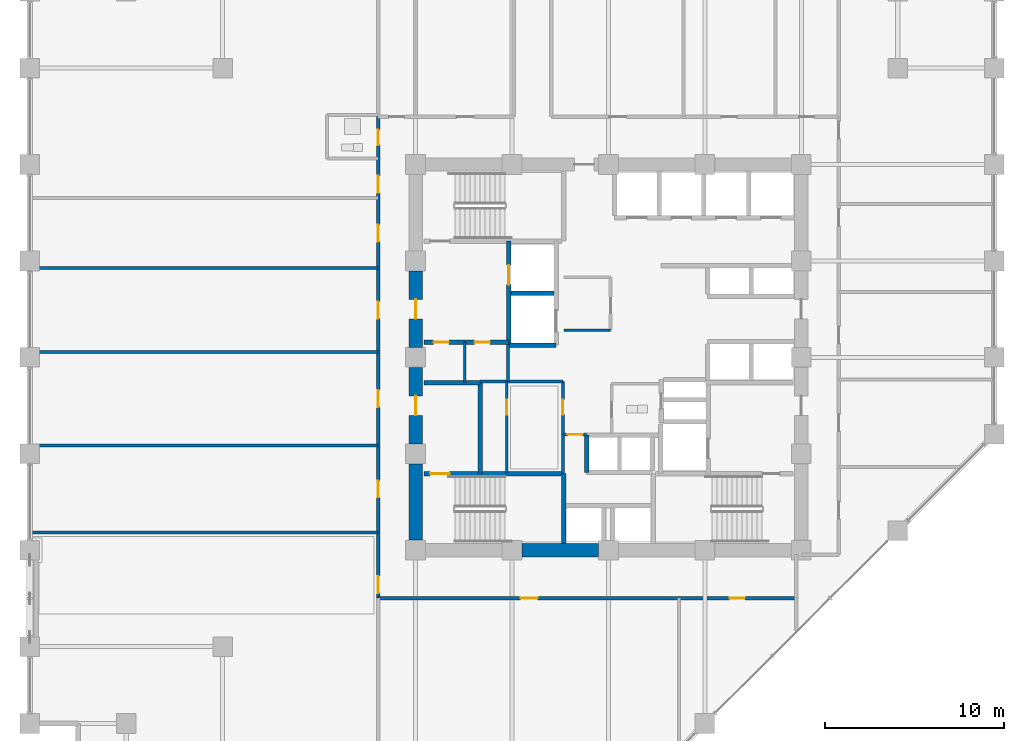
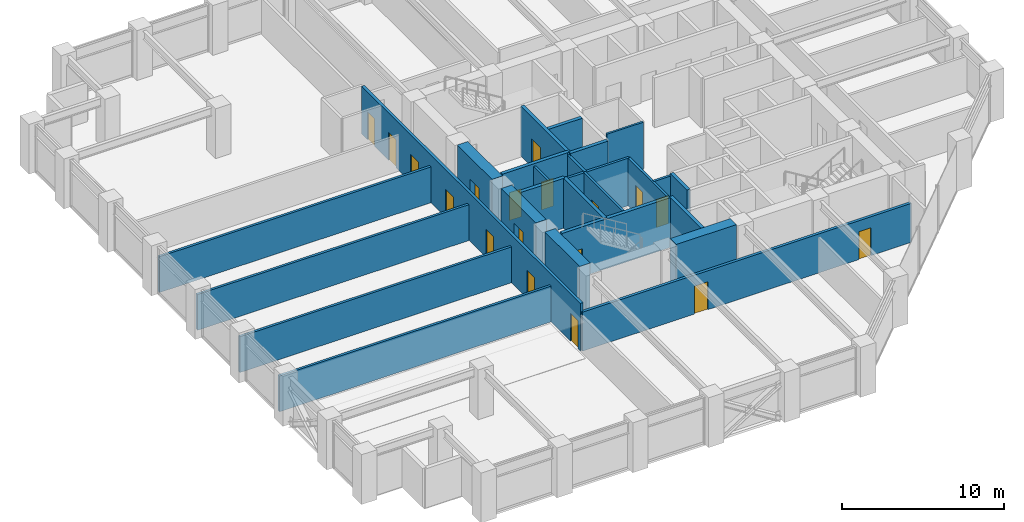
# One storey, part 19 of 25: 26 walls, 18 doors, 18 openings.
"""IFC4 building model written with IfcOpenShell, lengths in metres."""

import ifcopenshell
import ifcopenshell.guid

model = None  # the IFC model being written
_history = None  # IfcOwnerHistory: only IFC2X3 demands one
_inside = {}  # id of a spatial element -> (the spatial element, [elements in it])
_under = {}  # id of a project, library or spatial element -> (it, [spatial elements below it])
_declared = {}  # id of a project -> (the project, [libraries it declares])
_typed = {}  # id of a type object -> (the type object, [elements of that type])
_made_of = {}  # id of a material, layer set ... -> (it, [elements and type objects made of it])


def new_model(schema):
    """Start an empty IFC model of exactly this schema.

    Asked for "IFC4X3", IfcOpenShell would pick the latest addendum, in which some entities
    have other attributes; the version numbers below select the first issue.
    IFC2X3 requires an IfcOwnerHistory on every rooted entity: one is made here for all.
    """
    global model, _history
    if schema == "IFC4X3":
        model = ifcopenshell.file(schema_version=(4, 3, 0, 0))
    else:
        model = ifcopenshell.file(schema=schema)
    _inside.clear()
    _under.clear()
    _declared.clear()
    _typed.clear()
    _made_of.clear()
    _history = None
    if model.schema == "IFC2X3":
        org = make("IfcOrganization", Name="unknown")
        user = make(
            "IfcPersonAndOrganization",
            ThePerson=make("IfcPerson", FamilyName="unknown"),
            TheOrganization=org,
        )
        app = make(
            "IfcApplication",
            ApplicationDeveloper=org,
            Version="unknown",
            ApplicationFullName="unknown",
            ApplicationIdentifier="unknown",
        )
        _history = make(
            "IfcOwnerHistory",
            OwningUser=user,
            OwningApplication=app,
            ChangeAction="ADDED",
            CreationDate=0,
        )
    return model


def make(cls, **values):
    """One entity of the class cls with the attributes given. An attribute that is None is left unset."""
    return model.create_entity(
        cls, **{name: value for name, value in values.items() if value is not None}
    )


def rooted(cls, **values):
    """An entity with a GlobalId (a new one), such as an element, a storey or a relation."""
    return make(cls, GlobalId=ifcopenshell.guid.new(), OwnerHistory=_history, **values)


def si_unit(unit_type, name, prefix=None):
    """IfcSIUnit, for example si_unit("LENGTHUNIT", "METRE", prefix="MILLI")."""
    return make("IfcSIUnit", UnitType=unit_type, Prefix=prefix, Name=name)


def assignment(units):
    """IfcUnitAssignment: the units of a project."""
    return None if units is None else make("IfcUnitAssignment", Units=units)


def point(xyz):
    """IfcCartesianPoint."""
    return None if xyz is None else make("IfcCartesianPoint", Coordinates=xyz)


def direction(xyz):
    """IfcDirection."""
    return None if xyz is None else make("IfcDirection", DirectionRatios=xyz)


def frame(location, z_axis=None, x_axis=None):
    """IfcAxis2Placement3D, a coordinate frame: its origin and axes. An axis left out is left unset."""
    return make(
        "IfcAxis2Placement3D",
        Location=point(location),
        Axis=direction(z_axis),
        RefDirection=direction(x_axis),
    )


def frame_2d(location, x_axis=None):
    """IfcAxis2Placement2D, a coordinate frame in the plane: its origin and x axis."""
    return make(
        "IfcAxis2Placement2D", Location=point(location), RefDirection=direction(x_axis)
    )


def origin():
    """The frame at (0, 0, 0) with its axes left unset."""
    return frame((0.0, 0.0, 0.0))


def place(relative_to, where):
    """IfcLocalPlacement: puts the frame where relative to a parent placement (None: the world)."""
    return make(
        "IfcLocalPlacement", PlacementRelTo=relative_to, RelativePlacement=where
    )


def context(
    kind, dimensions, precision=None, world=None, true_north=None, identifier=None
):
    """IfcGeometricRepresentationContext, for example the 3D "Model" context."""
    return make(
        "IfcGeometricRepresentationContext",
        ContextIdentifier=identifier,
        ContextType=kind,
        CoordinateSpaceDimension=dimensions,
        Precision=precision,
        WorldCoordinateSystem=world,
        TrueNorth=true_north,
    )


def subcontext(parent, identifier, kind, view, scale=None):
    """IfcGeometricRepresentationSubContext, for example "Body" below "Model"."""
    return make(
        "IfcGeometricRepresentationSubContext",
        ContextIdentifier=identifier,
        ContextType=kind,
        ParentContext=parent,
        TargetScale=scale,
        TargetView=view,
    )


def project(units=None, contexts=None):
    """IfcProject with its units and contexts."""
    return rooted(
        "IfcProject",
        Name="project",
        RepresentationContexts=contexts,
        UnitsInContext=assignment(units),
    )


def spatial(cls, under=None, at=None, **own):
    """A site, building, storey or space (cls), placed at a placement, below another one or the project."""
    s = rooted(cls, ObjectPlacement=at, **own)
    if under is not None:
        _under.setdefault(under.id(), (under, []))[1].append(s)
    return s


def profile(cls, at=None, kind="AREA", **sizes):
    """A parametric profile (cls). Its sizes go by their IFC names, for example OverallWidth=200.0."""
    return make(cls, ProfileType=kind, Position=at, **sizes)


def rectangle(**sizes):
    """IfcRectangleProfileDef."""
    return profile("IfcRectangleProfileDef", **sizes)


def extrude(swept, where, along, depth):
    """IfcExtrudedAreaSolid: the profile swept, set in the frame where, extruded along a direction by depth."""
    return make(
        "IfcExtrudedAreaSolid",
        SweptArea=swept,
        Position=where,
        ExtrudedDirection=direction(along),
        Depth=depth,
    )


def shape(context_of_items, identifier, shape_type, items):
    """IfcShapeRepresentation: the items that make up one representation, for example the "Body"."""
    return make(
        "IfcShapeRepresentation",
        ContextOfItems=context_of_items,
        RepresentationIdentifier=identifier,
        RepresentationType=shape_type,
        Items=items,
    )


def material(Name=None, Category=None):
    """IfcMaterial."""
    return make("IfcMaterial", Name=Name, Category=Category)


def layer(
    of_material, thickness, ventilated=None, Name=None, Category=None, Priority=None
):
    """IfcMaterialLayer: one layer of a wall or slab, of a material (None: an air gap)."""
    return make(
        "IfcMaterialLayer",
        Material=of_material,
        LayerThickness=thickness,
        IsVentilated=ventilated,
        Name=Name,
        Category=Category,
        Priority=Priority,
    )


def layer_set(layers, Name=None):
    """IfcMaterialLayerSet."""
    return make("IfcMaterialLayerSet", MaterialLayers=layers, LayerSetName=Name)


def made_of(thing, what):
    """Note that an element or type object is made of a material, layer set ...; save() writes the relation."""
    if what is not None:
        _made_of.setdefault(what.id(), (what, []))[1].append(thing)
    return thing


def type_object(cls, material=None, **own):
    """A type object (cls), such as IfcWallType, which elements share."""
    return made_of(rooted(cls, **own), material)


def element(
    cls,
    number,
    at=None,
    inside=None,
    cuts=None,
    type_object=None,
    material=None,
    context=None,
    identifier="Body",
    shape_type=None,
    held_by="IfcProductDefinitionShape",
    body=None,
    shapes=None,
    **own,
):
    """One element of the class cls, such as IfcWall. Its Tag is "e" and its number.

    at: its placement. inside: the storey or other place that contains it. cuts: it is an
    opening in that element (IfcRelVoidsElement). A single representation is given by context,
    identifier, shape_type and body (its items); several are given by shapes. held_by: the class
    of the entity that holds the representations. save() writes the other relations.
    """
    e = rooted(cls, Tag="e%d" % number, ObjectPlacement=at, **own)
    if body is not None:
        shapes = [shape(context, identifier, shape_type, body)]
    if shapes is not None:
        e.Representation = make(held_by, Representations=shapes)
    if inside is not None:
        _inside.setdefault(inside.id(), (inside, []))[1].append(e)
    if cuts is not None:
        rooted(
            "IfcRelVoidsElement", RelatingBuildingElement=cuts, RelatedOpeningElement=e
        )
    if type_object is not None:
        _typed.setdefault(type_object.id(), (type_object, []))[1].append(e)
    return made_of(e, material)


def fill(opening, filler):
    """IfcRelFillsElement: the door or window that sits in an opening."""
    return rooted(
        "IfcRelFillsElement",
        RelatingOpeningElement=opening,
        RelatedBuildingElement=filler,
    )


def aggregate(whole, parts):
    """IfcRelAggregates: a whole, such as a stair, and the parts it consists of."""
    return rooted("IfcRelAggregates", RelatingObject=whole, RelatedObjects=parts)


def save(model, path):
    """Write the relations noted so far, then the file.

    IfcRelAggregates (storeys below a building ...), IfcRelContainedInSpatialStructure (elements
    in a storey), IfcRelDefinesByType, IfcRelAssociatesMaterial and IfcRelDeclares: one each for
    every whole, place, type object, material and project.
    """
    for whole, parts in _under.values():
        aggregate(whole, parts)
    for where, things in _inside.values():
        rooted(
            "IfcRelContainedInSpatialStructure",
            RelatedElements=things,
            RelatingStructure=where,
        )
    for kind, things in _typed.values():
        rooted("IfcRelDefinesByType", RelatedObjects=things, RelatingType=kind)
    for what, things in _made_of.values():
        rooted("IfcRelAssociatesMaterial", RelatedObjects=things, RelatingMaterial=what)
    for by, libraries in _declared.values():
        rooted("IfcRelDeclares", RelatingContext=by, RelatedDefinitions=libraries)
    model.write(path)


model = new_model("IFC4")

# Units and contexts
model_context = context("Model", 3, precision=1e-05, world=origin(), true_north=direction((0.0, 1.0)))
body_context = subcontext(model_context, "Body", "Model", "MODEL_VIEW")
ifc_project = project(units=[si_unit("LENGTHUNIT", "METRE"), si_unit("AREAUNIT", "SQUARE_METRE"), si_unit("VOLUMEUNIT", "CUBIC_METRE"), si_unit("PLANEANGLEUNIT", "RADIAN"), si_unit("MASSUNIT", "GRAM", prefix="KILO")], contexts=[model_context])

# Site, building, storey
site_placement = place(None, origin())
site = spatial("IfcSite", under=ifc_project, at=site_placement, CompositionType="ELEMENT")
building_placement = place(site_placement, origin())
building = spatial("IfcBuilding", under=site, at=building_placement, Name="Surkhivell Harbour Commons", CompositionType="ELEMENT")
storey_placement = place(building_placement, frame((0.0, 0.0, 113.25)))
storey = spatial("IfcBuildingStorey", under=building, at=storey_placement, Name="L29", CompositionType="ELEMENT", Elevation=113.25)

# Walls
ifc_material_1 = material(Name="Concrete C60/75", Category="concrete")
ifc_layer_1 = layer(ifc_material_1, 0.75)
ifc_layer_set_1 = layer_set([ifc_layer_1], Name="Concrete C60/75")
wall_type_1 = type_object("IfcWallType", Name="WAL-CORE-750", PredefinedType="SHEAR", material=ifc_layer_set_1)
for number, where, z_axis, x_axis, name in (
    (1, (-10.800048828125, -10.239990234375, 0.0), (0.0, 0.0, 1.0), (0.0, 1.0, 0.0), "L29 Core Shear Wall West 1"),
    (2, (-4.840087890625, -10.800048828125, 0.0), (0.0, 0.0, 1.0), (1.0, 0.0, 0.0), "L29 Core Shear Wall South 2"),
):
    element("IfcWall", number, at=place(storey_placement, frame(where, z_axis=z_axis, x_axis=x_axis)), inside=storey, type_object=wall_type_1, Name=name, PredefinedType="SHEAR", context=body_context, shape_type="SweptSolid", body=[
        extrude(rectangle(XDim=4.280029296875, YDim=0.75, at=frame_2d((2.14013671875, 0.0))), origin(), (0.0, 0.0, 1.0), 3.75),
    ])

# Wall, opening, door
wall_1_placement = place(storey_placement, frame((-10.800048828125, -4.840087890625, 0.0), z_axis=(0.0, 0.0, 1.0), x_axis=(0.0, 1.0, 0.0)))
wall_1 = element("IfcWall", 3, at=wall_1_placement, inside=storey, type_object=wall_type_1, Name="L29 Core Shear Wall West 2", PredefinedType="SHEAR", context=body_context, shape_type="SweptSolid", body=[
    extrude(rectangle(XDim=4.280029296875, YDim=0.75, at=frame_2d((2.14013671875, 0.0))), origin(), (0.0, 0.0, 1.0), 3.75),
])
opening_1_placement = place(wall_1_placement, frame((1.590087890625, 0.0, 0.0)))
opening_1 = element("IfcOpeningElement", 4, at=opening_1_placement, cuts=wall_1, Name="Opening ID-2", PredefinedType="OPENING", context=body_context, shape_type="SweptSolid", body=[
    extrude(rectangle(XDim=1.10009765625, YDim=2.10009765625, at=frame_2d((0.550048828125, 1.050048828125))), frame((0.0, 0.385009765625, 0.0), z_axis=(0.0, -1.0, 0.0), x_axis=(1.0, 0.0, 0.0)), (0.0, 0.0, 1.0), 0.77001953125),
])
ifc_material_2 = material(Name="Hardwood-veneered fire-rated door leaf", Category="wood")
door_type_1 = type_object("IfcDoorType", Name="DOR-FD60-1100", OperationType="NOTDEFINED", PredefinedType="DOOR", material=ifc_material_2)
door_1_placement = place(opening_1_placement, origin())
door_1 = element("IfcDoor", 5, at=door_1_placement, inside=storey, type_object=door_type_1, Name="L29 Stair 3 Lobby Corridor Door", OperationType="SINGLE_SWING_LEFT", OverallHeight=2.10009765625, OverallWidth=1.10009765625, PredefinedType="DOOR", context=body_context, shape_type="SweptSolid", body=[
    extrude(rectangle(XDim=1.10009765625, YDim=2.10009765625, at=frame_2d((0.550048828125, 1.050048828125))), frame((0.0, 0.02490234375, 0.0), z_axis=(0.0, -1.0, 0.0), x_axis=(1.0, 0.0, 0.0)), (0.0, 0.0, 1.0), 0.050048828125),
])
fill(opening_1, door_1)

wall_2_placement = place(storey_placement, frame((-10.800048828125, 0.56005859375, 0.0), z_axis=(0.0, 0.0, 1.0), x_axis=(0.0, 1.0, 0.0)))
wall_2 = element("IfcWall", 6, at=wall_2_placement, inside=storey, type_object=wall_type_1, Name="L29 Core Shear Wall West 3", PredefinedType="SHEAR", context=body_context, shape_type="SweptSolid", body=[
    extrude(rectangle(XDim=4.280029296875, YDim=0.75, at=frame_2d((2.14013671875, 0.0))), origin(), (0.0, 0.0, 1.0), 3.75),
])
opening_2_placement = place(wall_2_placement, frame((1.590087890625, 0.0, 0.0)))
opening_2 = element("IfcOpeningElement", 7, at=opening_2_placement, cuts=wall_2, Name="Opening ID-1", PredefinedType="OPENING", context=body_context, shape_type="SweptSolid", body=[
    extrude(rectangle(XDim=1.10009765625, YDim=2.10009765625, at=frame_2d((0.550048828125, 1.050048828125))), frame((0.0, 0.385009765625, 0.0), z_axis=(0.0, -1.0, 0.0), x_axis=(1.0, 0.0, 0.0)), (0.0, 0.0, 1.0), 0.77001953125),
])
door_type_2 = type_object("IfcDoorType", Name="DOR-FD120-1100", OperationType="NOTDEFINED", PredefinedType="DOOR", material=ifc_material_2)
door_2_placement = place(opening_2_placement, origin())
door_2 = element("IfcDoor", 8, at=door_2_placement, inside=storey, type_object=door_type_2, Name="L29 Firefighting Lobby 1 Corridor Door", OperationType="SINGLE_SWING_LEFT", OverallHeight=2.10009765625, OverallWidth=1.10009765625, PredefinedType="DOOR", context=body_context, shape_type="SweptSolid", body=[
    extrude(rectangle(XDim=1.10009765625, YDim=2.10009765625, at=frame_2d((0.550048828125, 1.050048828125))), frame((0.0, 0.02490234375, 0.0), z_axis=(0.0, -1.0, 0.0), x_axis=(1.0, 0.0, 0.0)), (0.0, 0.0, 1.0), 0.050048828125),
])
fill(opening_2, door_2)

ifc_material_3 = material(Name="Twin-stud acoustic fireboard partition", Category="other")
ifc_layer_2 = layer(ifc_material_3, 0.14990234375)
ifc_layer_set_2 = layer_set([ifc_layer_2], Name="Twin-stud acoustic fireboard partition")
wall_type_2 = type_object("IfcWallType", Name="WAL-INT-150", PredefinedType="PARTITIONING", material=ifc_layer_set_2)
wall_3_placement = place(storey_placement, frame((-5.699951171875, -6.510009765625, 0.0), z_axis=(0.0, 0.0, 1.0), x_axis=(0.0, 1.0, 0.0)))
wall_3 = element("IfcWall", 9, at=wall_3_placement, inside=storey, type_object=wall_type_2, Name="L29 Core Cut B Partition", PredefinedType="PARTITIONING", context=body_context, shape_type="SweptSolid", body=[
    extrude(rectangle(XDim=5.159912109375, YDim=0.14990234375, at=frame_2d((2.580078125, 0.0))), origin(), (0.0, 0.0, 1.0), 3.570068359375),
])
opening_3_placement = place(wall_3_placement, frame((3.300048828125, 0.0, 0.0)))
opening_3 = element("IfcOpeningElement", 10, at=opening_3_placement, cuts=wall_3, Name="Opening ID-6", PredefinedType="OPENING", context=body_context, shape_type="SweptSolid", body=[
    extrude(rectangle(XDim=0.85009765625, YDim=2.10009765625, at=frame_2d((0.425048828125, 1.050048828125))), frame((0.0, 0.0849609375, 0.0), z_axis=(0.0, -1.0, 0.0), x_axis=(1.0, 0.0, 0.0)), (0.0, 0.0, 1.0), 0.169921875),
])
door_type_3 = type_object("IfcDoorType", Name="DOR-FD30-850", OperationType="NOTDEFINED", PredefinedType="DOOR", material=ifc_material_2)
door_3_placement = place(opening_3_placement, origin())
door_3 = element("IfcDoor", 11, at=door_3_placement, inside=storey, type_object=door_type_3, Name="L29 Core Focus Study Door", OperationType="SINGLE_SWING_RIGHT", OverallHeight=2.10009765625, OverallWidth=0.85009765625, PredefinedType="DOOR", context=body_context, shape_type="SweptSolid", body=[
    extrude(rectangle(XDim=0.85009765625, YDim=2.10009765625, at=frame_2d((0.425048828125, 1.050048828125))), frame((0.0, 0.02490234375, 0.0), z_axis=(0.0, -1.0, 0.0), x_axis=(1.0, 0.0, 0.0)), (0.0, 0.0, 1.0), 0.050048828125),
])
fill(opening_3, door_3)

# Walls
wall_4_placement = place(storey_placement, frame((-8.050048828125, -1.419921875, 0.0), z_axis=(0.0, 0.0, 1.0), x_axis=(0.0, 1.0, 0.0)))
element("IfcWall", 12, at=wall_4_placement, inside=storey, type_object=wall_type_2, Name="L29 West Seminar Booth Divider", PredefinedType="PARTITIONING", context=body_context, shape_type="SweptSolid", body=[
    extrude(rectangle(XDim=2.27001953125, YDim=0.14990234375, at=frame_2d((1.135009765625, 0.0))), origin(), (0.0, 0.0, 1.0), 3.570068359375),
])
wall_5_placement = place(storey_placement, frame((-2.47998046875, 1.52001953125, 0.0), z_axis=(0.0, 0.0, 1.0), x_axis=(1.0, 0.0, 0.0)))
element("IfcWall", 13, at=wall_5_placement, inside=storey, type_object=wall_type_2, Name="L29 Central Reading South Wall", PredefinedType="PARTITIONING", context=body_context, shape_type="SweptSolid", body=[
    extrude(rectangle(XDim=2.60009765625, YDim=0.14990234375, at=frame_2d((1.300048828125, 0.0))), origin(), (0.0, 0.0, 1.0), 3.570068359375),
])

# Wall, opening, door
ifc_material_4 = material(Name="High-density acoustic blockwork fire partition", Category="masonry")
ifc_layer_3 = layer(ifc_material_4, 0.175048828125)
ifc_layer_set_3 = layer_set([ifc_layer_3], Name="High-density acoustic blockwork fire partition")
wall_type_3 = type_object("IfcWallType", Name="WAL-INT-175", PredefinedType="PARTITIONING", material=ifc_layer_set_3)
wall_6_placement = place(storey_placement, frame((-2.550048828125, -6.510009765625, 0.0), z_axis=(0.0, 0.0, 1.0), x_axis=(0.0, 1.0, 0.0)))
wall_6 = element("IfcWall", 14, at=wall_6_placement, inside=storey, type_object=wall_type_3, Name="L29 Core Service Bay East Wall", PredefinedType="PARTITIONING", context=body_context, shape_type="SweptSolid", body=[
    extrude(rectangle(XDim=5.159912109375, YDim=0.175048828125, at=frame_2d((2.580078125, 0.0))), origin(), (0.0, 0.0, 1.0), 3.570068359375),
])
opening_4_placement = place(wall_6_placement, frame((3.300048828125, 0.0, 0.0)))
opening_4 = element("IfcOpeningElement", 15, at=opening_4_placement, cuts=wall_6, Name="Opening ID-6", PredefinedType="OPENING", context=body_context, shape_type="SweptSolid", body=[
    extrude(rectangle(XDim=0.85009765625, YDim=2.10009765625, at=frame_2d((0.425048828125, 1.050048828125))), frame((0.0, 0.097412109375, 0.0), z_axis=(0.0, -1.0, 0.0), x_axis=(1.0, 0.0, 0.0)), (0.0, 0.0, 1.0), 0.195068359375),
])
door_4_placement = place(opening_4_placement, origin())
door_4 = element("IfcDoor", 16, at=door_4_placement, inside=storey, type_object=door_type_3, Name="L29 Core Music Door", OperationType="SINGLE_SWING_LEFT", OverallHeight=2.10009765625, OverallWidth=0.85009765625, PredefinedType="DOOR", context=body_context, shape_type="SweptSolid", body=[
    extrude(rectangle(XDim=0.85009765625, YDim=2.10009765625, at=frame_2d((0.425048828125, 1.050048828125))), frame((0.0, 0.02490234375, 0.0), z_axis=(0.0, -1.0, 0.0), x_axis=(1.0, 0.0, 0.0)), (0.0, 0.0, 1.0), 0.050048828125),
])
fill(opening_4, door_4)

# Walls
wall_7_placement = place(storey_placement, frame((-7.179931640625, -1.35009765625, 0.0), z_axis=(0.0, 0.0, 1.0), x_axis=(1.0, 0.0, 0.0)))
element("IfcWall", 17, at=wall_7_placement, inside=storey, type_object=wall_type_3, Name="L29 Core Service Bay North Wall", PredefinedType="PARTITIONING", context=body_context, shape_type="SweptSolid", body=[
    extrude(rectangle(XDim=4.6298828125, YDim=0.175048828125, at=frame_2d((2.31494140625, 0.0))), origin(), (0.0, 0.0, 1.0), 3.570068359375),
])
wall_8_placement = place(storey_placement, frame((-5.6201171875, -1.35009765625, 0.0), z_axis=(0.0, 0.0, 1.0), x_axis=(0.0, 1.0, 0.0)))
element("IfcWall", 18, at=wall_8_placement, inside=storey, type_object=wall_type_3, Name="L29 West Core Bay East Wall", PredefinedType="PARTITIONING", context=body_context, shape_type="SweptSolid", body=[
    extrude(rectangle(XDim=2.070068359375, YDim=0.175048828125, at=frame_2d((1.03515625, 0.0))), origin(), (0.0, 0.0, 1.0), 3.570068359375),
])

# Wall, opening, door
wall_9_placement = place(storey_placement, frame((-2.52001953125, -4.320068359375, 0.0), z_axis=(0.0, 0.0, 1.0), x_axis=(1.0, 0.0, 0.0)))
wall_9 = element("IfcWall", 19, at=wall_9_placement, inside=storey, type_object=wall_type_3, Name="L29 High-Rise Lobby North Portal Wall", PredefinedType="PARTITIONING", context=body_context, shape_type="SweptSolid", body=[
    extrude(rectangle(XDim=1.300048828125, YDim=0.175048828125, at=frame_2d((0.64990234375, 0.0))), origin(), (0.0, 0.0, 1.0), 3.570068359375),
])
opening_5_placement = place(wall_9_placement, frame((0.219970703125, 0.0, 0.0)))
opening_5 = element("IfcOpeningElement", 20, at=opening_5_placement, cuts=wall_9, Name="Opening ID-6", PredefinedType="OPENING", context=body_context, shape_type="SweptSolid", body=[
    extrude(rectangle(XDim=0.85009765625, YDim=2.10009765625, at=frame_2d((0.425048828125, 1.050048828125))), frame((0.0, 0.097412109375, 0.0), z_axis=(0.0, -1.0, 0.0), x_axis=(1.0, 0.0, 0.0)), (0.0, 0.0, 1.0), 0.195068359375),
])
door_5_placement = place(opening_5_placement, origin())
door_5 = element("IfcDoor", 21, at=door_5_placement, inside=storey, type_object=door_type_3, Name="L29 High-Rise Lift Lobby North Door", OperationType="SINGLE_SWING_LEFT", OverallHeight=2.10009765625, OverallWidth=0.85009765625, PredefinedType="DOOR", context=body_context, shape_type="SweptSolid", body=[
    extrude(rectangle(XDim=0.85009765625, YDim=2.10009765625, at=frame_2d((0.425048828125, 1.050048828125))), frame((0.0, 0.02490234375, 0.0), z_axis=(0.0, -1.0, 0.0), x_axis=(1.0, 0.0, 0.0)), (0.0, 0.0, 1.0), 0.050048828125),
])
fill(opening_5, door_5)

# Walls
for number, where, z_axis, x_axis, name in (
    (22, (-32.340087890625, -4.929931640625, 0.0), (0.0, 0.0, 1.0), (1.0, 0.0, 0.0), "L29 West Partition BDP1"),
    (23, (-32.340087890625, 0.31005859375, 0.0), (0.0, 0.0, 1.0), (1.0, 0.0, 0.0), "L29 West Partition BDP2"),
    (24, (-32.340087890625, 5.0, 0.0), (0.0, 0.0, 1.0), (1.0, 0.0, 0.0), "L29 West Partition BDP3"),
    (25, (-32.340087890625, -9.800048828125, 0.0), (0.0, 0.0, 1.0), (1.0, 0.0, 0.0), "L29 West Partition PBOT"),
):
    element("IfcWall", number, at=place(storey_placement, frame(where, z_axis=z_axis, x_axis=x_axis)), inside=storey, type_object=wall_type_3, Name=name, PredefinedType="PARTITIONING", context=body_context, shape_type="SweptSolid", body=[
        extrude(rectangle(XDim=19.440185546875, YDim=0.175048828125, at=frame_2d((9.72021484375, 0.0))), origin(), (0.0, 0.0, 1.0), 2.698974609375),
    ])

# Wall, openings, doors
ifc_material_5 = material(Name="Autoclaved aerated concrete blockwork and fire plaster", Category="masonry")
ifc_layer_4 = layer(ifc_material_5, 0.199951171875)
ifc_layer_set_4 = layer_set([ifc_layer_4], Name="Autoclaved aerated concrete blockwork and fire plaster")
wall_type_4 = type_object("IfcWallType", Name="WAL-INT-200", PredefinedType="PARTITIONING", material=ifc_layer_set_4)
wall_10_placement = place(storey_placement, frame((-12.89990234375, -13.47998046875, 0.0), z_axis=(0.0, 0.0, 1.0), x_axis=(1.0, 0.0, 0.0)))
wall_10 = element("IfcWall", 26, at=wall_10_placement, inside=storey, type_object=wall_type_4, Name="L29 Corridor South Wall", PredefinedType="PARTITIONING", context=body_context, shape_type="SweptSolid", body=[
    extrude(rectangle(XDim=23.419921875, YDim=0.199951171875, at=frame_2d((11.7099609375, 0.0))), origin(), (0.0, 0.0, 1.0), 2.93310546875),
])
opening_6_placement = place(wall_10_placement, frame((7.97998046875, 0.0, 0.0)))
opening_6 = element("IfcOpeningElement", 27, at=opening_6_placement, cuts=wall_10, Name="Opening ID-4", PredefinedType="OPENING", context=body_context, shape_type="SweptSolid", body=[
    extrude(rectangle(XDim=0.949951171875, YDim=2.10009765625, at=frame_2d((0.47509765625, 1.050048828125))), frame((0.0, 0.10986328125, 0.0), z_axis=(0.0, -1.0, 0.0), x_axis=(1.0, 0.0, 0.0)), (0.0, 0.0, 1.0), 0.219970703125),
])
opening_7_placement = place(wall_10_placement, frame((19.68994140625, 0.0, 0.0)))
opening_7 = element("IfcOpeningElement", 28, at=opening_7_placement, cuts=wall_10, Name="Opening ID-6", PredefinedType="OPENING", context=body_context, shape_type="SweptSolid", body=[
    extrude(rectangle(XDim=0.85009765625, YDim=2.10009765625, at=frame_2d((0.425048828125, 1.050048828125))), frame((0.0, 0.10986328125, 0.0), z_axis=(0.0, -1.0, 0.0), x_axis=(1.0, 0.0, 0.0)), (0.0, 0.0, 1.0), 0.219970703125),
])
door_6_placement = place(opening_7_placement, origin())
door_6 = element("IfcDoor", 29, at=door_6_placement, inside=storey, type_object=door_type_3, Name="L29 Resident Advisory Reception Desk South Door", OperationType="SINGLE_SWING_LEFT", OverallHeight=2.10009765625, OverallWidth=0.85009765625, PredefinedType="DOOR", context=body_context, shape_type="SweptSolid", body=[
    extrude(rectangle(XDim=0.85009765625, YDim=2.10009765625, at=frame_2d((0.425048828125, 1.050048828125))), frame((0.0, 0.02490234375, 0.0), z_axis=(0.0, -1.0, 0.0), x_axis=(1.0, 0.0, 0.0)), (0.0, 0.0, 1.0), 0.050048828125),
])
fill(opening_7, door_6)
door_type_4 = type_object("IfcDoorType", Name="DOR-FD60-950", OperationType="NOTDEFINED", PredefinedType="DOOR", material=ifc_material_2)
door_7_placement = place(opening_6_placement, origin())
door_7 = element("IfcDoor", 30, at=door_7_placement, inside=storey, type_object=door_type_4, Name="L29 Zone Concierge Reception Foyer South Door", OperationType="SINGLE_SWING_RIGHT", OverallHeight=2.10009765625, OverallWidth=0.949951171875, PredefinedType="DOOR", context=body_context, shape_type="SweptSolid", body=[
    extrude(rectangle(XDim=0.949951171875, YDim=2.10009765625, at=frame_2d((0.47509765625, 1.050048828125))), frame((0.0, 0.02490234375, 0.0), z_axis=(0.0, -1.0, 0.0), x_axis=(1.0, 0.0, 0.0)), (0.0, 0.0, 1.0), 0.050048828125),
])
fill(opening_6, door_7)

wall_11_placement = place(storey_placement, frame((-12.89990234375, -13.47998046875, 0.0), z_axis=(0.0, 0.0, 1.0), x_axis=(0.0, 1.0, 0.0)))
wall_11 = element("IfcWall", 31, at=wall_11_placement, inside=storey, type_object=wall_type_4, Name="L29 Corridor West Wall", PredefinedType="PARTITIONING", context=body_context, shape_type="SweptSolid", body=[
    extrude(rectangle(XDim=26.9599609375, YDim=0.199951171875, at=frame_2d((13.47998046875, 0.0))), origin(), (0.0, 0.0, 1.0), 3.570068359375),
])
opening_8_placement = place(wall_11_placement, frame((0.280029296875, 0.0, 0.0)))
opening_8 = element("IfcOpeningElement", 32, at=opening_8_placement, cuts=wall_11, Name="Opening ID-4", PredefinedType="OPENING", context=body_context, shape_type="SweptSolid", body=[
    extrude(rectangle(XDim=0.949951171875, YDim=2.10009765625, at=frame_2d((0.47509765625, 1.050048828125))), frame((0.0, 0.10986328125, 0.0), z_axis=(0.0, -1.0, 0.0), x_axis=(1.0, 0.0, 0.0)), (0.0, 0.0, 1.0), 0.219970703125),
])
opening_9_placement = place(wall_11_placement, frame((25.364990234375, 0.0, 0.0)))
opening_9 = element("IfcOpeningElement", 33, at=opening_9_placement, cuts=wall_11, Name="Opening ID-6", PredefinedType="OPENING", context=body_context, shape_type="SweptSolid", body=[
    extrude(rectangle(XDim=0.85009765625, YDim=2.10009765625, at=frame_2d((0.425048828125, 1.050048828125))), frame((0.0, 0.10986328125, 0.0), z_axis=(0.0, -1.0, 0.0), x_axis=(1.0, 0.0, 0.0)), (0.0, 0.0, 1.0), 0.219970703125),
])
opening_10_placement = place(wall_11_placement, frame((22.68994140625, 0.0, 0.0)))
opening_10 = element("IfcOpeningElement", 34, at=opening_10_placement, cuts=wall_11, Name="Opening ID-4", PredefinedType="OPENING", context=body_context, shape_type="SweptSolid", body=[
    extrude(rectangle(XDim=0.949951171875, YDim=2.10009765625, at=frame_2d((0.47509765625, 1.050048828125))), frame((0.0, 0.10986328125, 0.0), z_axis=(0.0, -1.0, 0.0), x_axis=(1.0, 0.0, 0.0)), (0.0, 0.0, 1.0), 0.219970703125),
])
opening_11_placement = place(wall_11_placement, frame((5.635009765625, 0.0, 0.0)))
opening_11 = element("IfcOpeningElement", 35, at=opening_11_placement, cuts=wall_11, Name="Opening ID-4", PredefinedType="OPENING", context=body_context, shape_type="SweptSolid", body=[
    extrude(rectangle(XDim=0.949951171875, YDim=2.10009765625, at=frame_2d((0.47509765625, 1.050048828125))), frame((0.0, 0.10986328125, 0.0), z_axis=(0.0, -1.0, 0.0), x_axis=(1.0, 0.0, 0.0)), (0.0, 0.0, 1.0), 0.219970703125),
])
opening_12_placement = place(wall_11_placement, frame((10.68994140625, 0.0, 0.0)))
opening_12 = element("IfcOpeningElement", 36, at=opening_12_placement, cuts=wall_11, Name="Opening ID-4", PredefinedType="OPENING", context=body_context, shape_type="SweptSolid", body=[
    extrude(rectangle(XDim=0.949951171875, YDim=2.10009765625, at=frame_2d((0.47509765625, 1.050048828125))), frame((0.0, 0.10986328125, 0.0), z_axis=(0.0, -1.0, 0.0), x_axis=(1.0, 0.0, 0.0)), (0.0, 0.0, 1.0), 0.219970703125),
])
opening_13_placement = place(wall_11_placement, frame((15.655029296875, 0.0, 0.0)))
opening_13 = element("IfcOpeningElement", 37, at=opening_13_placement, cuts=wall_11, Name="Opening ID-4", PredefinedType="OPENING", context=body_context, shape_type="SweptSolid", body=[
    extrude(rectangle(XDim=0.949951171875, YDim=2.10009765625, at=frame_2d((0.47509765625, 1.050048828125))), frame((0.0, 0.10986328125, 0.0), z_axis=(0.0, -1.0, 0.0), x_axis=(1.0, 0.0, 0.0)), (0.0, 0.0, 1.0), 0.219970703125),
])
opening_14_placement = place(wall_11_placement, frame((19.965087890625, 0.0, 0.0)))
opening_14 = element("IfcOpeningElement", 38, at=opening_14_placement, cuts=wall_11, Name="Opening ID-4", PredefinedType="OPENING", context=body_context, shape_type="SweptSolid", body=[
    extrude(rectangle(XDim=0.949951171875, YDim=2.10009765625, at=frame_2d((0.47509765625, 1.050048828125))), frame((0.0, 0.10986328125, 0.0), z_axis=(0.0, -1.0, 0.0), x_axis=(1.0, 0.0, 0.0)), (0.0, 0.0, 1.0), 0.219970703125),
])
door_8_placement = place(opening_9_placement, origin())
door_8 = element("IfcDoor", 39, at=door_8_placement, inside=storey, type_object=door_type_3, Name="L29 Communal Shower Bathroom West Door", OperationType="SINGLE_SWING_RIGHT", OverallHeight=2.10009765625, OverallWidth=0.85009765625, PredefinedType="DOOR", context=body_context, shape_type="SweptSolid", body=[
    extrude(rectangle(XDim=0.85009765625, YDim=2.10009765625, at=frame_2d((0.425048828125, 1.050048828125))), frame((0.0, 0.02490234375, 0.0), z_axis=(0.0, -1.0, 0.0), x_axis=(1.0, 0.0, 0.0)), (0.0, 0.0, 1.0), 0.050048828125),
])
fill(opening_9, door_8)
door_9_placement = place(opening_8_placement, origin())
door_9 = element("IfcDoor", 40, at=door_9_placement, inside=storey, type_object=door_type_4, Name="L29 Shared Communal Kitchen West Door", OperationType="SINGLE_SWING_LEFT", OverallHeight=2.10009765625, OverallWidth=0.949951171875, PredefinedType="DOOR", context=body_context, shape_type="SweptSolid", body=[
    extrude(rectangle(XDim=0.949951171875, YDim=2.10009765625, at=frame_2d((0.47509765625, 1.050048828125))), frame((0.0, 0.02490234375, 0.0), z_axis=(0.0, -1.0, 0.0), x_axis=(1.0, 0.0, 0.0)), (0.0, 0.0, 1.0), 0.050048828125),
])
fill(opening_8, door_9)
door_10_placement = place(opening_10_placement, origin())
door_10 = element("IfcDoor", 41, at=door_10_placement, inside=storey, type_object=door_type_4, Name="L29 Academic Reading Commons West Door", OperationType="SINGLE_SWING_LEFT", OverallHeight=2.10009765625, OverallWidth=0.949951171875, PredefinedType="DOOR", context=body_context, shape_type="SweptSolid", body=[
    extrude(rectangle(XDim=0.949951171875, YDim=2.10009765625, at=frame_2d((0.47509765625, 1.050048828125))), frame((0.0, 0.02490234375, 0.0), z_axis=(0.0, -1.0, 0.0), x_axis=(1.0, 0.0, 0.0)), (0.0, 0.0, 1.0), 0.050048828125),
])
fill(opening_10, door_10)
door_11_placement = place(opening_11_placement, origin())
door_11 = element("IfcDoor", 42, at=door_11_placement, inside=storey, type_object=door_type_4, Name="L29 Hostel Cluster Bedroom 1 West Door", OperationType="SINGLE_SWING_RIGHT", OverallHeight=2.10009765625, OverallWidth=0.949951171875, PredefinedType="DOOR", context=body_context, shape_type="SweptSolid", body=[
    extrude(rectangle(XDim=0.949951171875, YDim=2.10009765625, at=frame_2d((0.47509765625, 1.050048828125))), frame((0.0, 0.02490234375, 0.0), z_axis=(0.0, -1.0, 0.0), x_axis=(1.0, 0.0, 0.0)), (0.0, 0.0, 1.0), 0.050048828125),
])
fill(opening_11, door_11)
door_12_placement = place(opening_12_placement, origin())
door_12 = element("IfcDoor", 43, at=door_12_placement, inside=storey, type_object=door_type_4, Name="L29 Co-Living Dormitory Bedroom 2 West Door", OperationType="SINGLE_SWING_LEFT", OverallHeight=2.10009765625, OverallWidth=0.949951171875, PredefinedType="DOOR", context=body_context, shape_type="SweptSolid", body=[
    extrude(rectangle(XDim=0.949951171875, YDim=2.10009765625, at=frame_2d((0.47509765625, 1.050048828125))), frame((0.0, 0.02490234375, 0.0), z_axis=(0.0, -1.0, 0.0), x_axis=(1.0, 0.0, 0.0)), (0.0, 0.0, 1.0), 0.050048828125),
])
fill(opening_12, door_12)
door_13_placement = place(opening_13_placement, origin())
door_13 = element("IfcDoor", 44, at=door_13_placement, inside=storey, type_object=door_type_4, Name="L29 Hostel Cluster Bedroom 3 West Door", OperationType="SINGLE_SWING_RIGHT", OverallHeight=2.10009765625, OverallWidth=0.949951171875, PredefinedType="DOOR", context=body_context, shape_type="SweptSolid", body=[
    extrude(rectangle(XDim=0.949951171875, YDim=2.10009765625, at=frame_2d((0.47509765625, 1.050048828125))), frame((0.0, 0.02490234375, 0.0), z_axis=(0.0, -1.0, 0.0), x_axis=(1.0, 0.0, 0.0)), (0.0, 0.0, 1.0), 0.050048828125),
])
fill(opening_13, door_13)
door_14_placement = place(opening_14_placement, origin())
door_14 = element("IfcDoor", 45, at=door_14_placement, inside=storey, type_object=door_type_4, Name="L29 Co-Living Dormitory Bedroom 4 West Door", OperationType="SINGLE_SWING_LEFT", OverallHeight=2.10009765625, OverallWidth=0.949951171875, PredefinedType="DOOR", context=body_context, shape_type="SweptSolid", body=[
    extrude(rectangle(XDim=0.949951171875, YDim=2.10009765625, at=frame_2d((0.47509765625, 1.050048828125))), frame((0.0, 0.02490234375, 0.0), z_axis=(0.0, -1.0, 0.0), x_axis=(1.0, 0.0, 0.0)), (0.0, 0.0, 1.0), 0.050048828125),
])
fill(opening_14, door_14)

# Wall, opening, door
ifc_material_6 = material(Name="Concrete C50/60", Category="concrete")
ifc_layer_5 = layer(ifc_material_6, 0.25)
ifc_layer_set_5 = layer_set([ifc_layer_5], Name="Concrete C50/60")
wall_type_5 = type_object("IfcWallType", Name="WAL-SHAFT-250", PredefinedType="SHEAR", material=ifc_layer_set_5)
wall_12_placement = place(storey_placement, frame((-5.580078125, 0.719970703125, 0.0), z_axis=(0.0, 0.0, 1.0), x_axis=(0.0, 1.0, 0.0)))
wall_12 = element("IfcWall", 46, at=wall_12_placement, inside=storey, type_object=wall_type_5, Name="L29 Firefighting Lobby 1 East Shaft Wall", PredefinedType="SHEAR", context=body_context, shape_type="SweptSolid", body=[
    extrude(rectangle(XDim=5.7900390625, YDim=0.25, at=frame_2d((2.89501953125, 0.0))), origin(), (0.0, 0.0, 1.0), 3.75),
])
opening_15_placement = place(wall_12_placement, frame((3.35009765625, 0.0, 0.0)))
opening_15 = element("IfcOpeningElement", 47, at=opening_15_placement, cuts=wall_12, Name="Opening LD-1", PredefinedType="OPENING", context=body_context, shape_type="SweptSolid", body=[
    extrude(rectangle(XDim=1.10009765625, YDim=2.10009765625, at=frame_2d((0.550048828125, 1.050048828125))), frame((0.0, 0.135009765625, 0.0), z_axis=(0.0, -1.0, 0.0), x_axis=(1.0, 0.0, 0.0)), (0.0, 0.0, 1.0), 0.27001953125),
])
ifc_material_7 = material(Name="Brushed stainless steel S355", Category="steel")
door_type_5 = type_object("IfcDoorType", Name="DOR-LD-1100", OperationType="SLIDING_TO_LEFT", PredefinedType="DOOR", material=ifc_material_7)
door_15_placement = place(opening_15_placement, origin())
door_15 = element("IfcDoor", 48, at=door_15_placement, inside=storey, type_object=door_type_5, Name="L29 Lift Landing Door LD-FFL1", OperationType="SLIDING_TO_LEFT", OverallHeight=2.10009765625, OverallWidth=1.10009765625, PredefinedType="DOOR", context=body_context, shape_type="SweptSolid", body=[
    extrude(rectangle(XDim=1.10009765625, YDim=2.10009765625, at=frame_2d((0.550048828125, 1.050048828125))), frame((0.0, 0.02490234375, 0.0), z_axis=(0.0, -1.0, 0.0), x_axis=(1.0, 0.0, 0.0)), (0.0, 0.0, 1.0), 0.050048828125),
])
fill(opening_15, door_15)

# Wall, openings, doors
wall_13_placement = place(storey_placement, frame((-10.340087890625, 0.85009765625, 0.0), z_axis=(0.0, 0.0, 1.0), x_axis=(1.0, 0.0, 0.0)))
wall_13 = element("IfcWall", 49, at=wall_13_placement, inside=storey, type_object=wall_type_5, Name="L29 Firefighting Lobby 1 South Wall", PredefinedType="SHEAR", context=body_context, shape_type="SweptSolid", body=[
    extrude(rectangle(XDim=4.760009765625, YDim=0.25, at=frame_2d((2.3798828125, 0.0))), origin(), (0.0, 0.0, 1.0), 3.75),
])
opening_16_placement = place(wall_13_placement, frame((0.550048828125, 0.0, 0.0)))
opening_16 = element("IfcOpeningElement", 50, at=opening_16_placement, cuts=wall_13, Name="Opening ID-6", PredefinedType="OPENING", context=body_context, shape_type="SweptSolid", body=[
    extrude(rectangle(XDim=0.85009765625, YDim=2.10009765625, at=frame_2d((0.425048828125, 1.050048828125))), frame((0.0, 0.135009765625, 0.0), z_axis=(0.0, -1.0, 0.0), x_axis=(1.0, 0.0, 0.0)), (0.0, 0.0, 1.0), 0.27001953125),
])
opening_17_placement = place(wall_13_placement, frame((2.85009765625, 0.0, 0.0)))
opening_17 = element("IfcOpeningElement", 51, at=opening_17_placement, cuts=wall_13, Name="Opening ID-6", PredefinedType="OPENING", context=body_context, shape_type="SweptSolid", body=[
    extrude(rectangle(XDim=0.85009765625, YDim=2.10009765625, at=frame_2d((0.425048828125, 1.050048828125))), frame((0.0, 0.135009765625, 0.0), z_axis=(0.0, -1.0, 0.0), x_axis=(1.0, 0.0, 0.0)), (0.0, 0.0, 1.0), 0.27001953125),
])
door_16_placement = place(opening_16_placement, origin())
door_16 = element("IfcDoor", 52, at=door_16_placement, inside=storey, type_object=door_type_3, Name="L29 West Seminar 1 Door", OperationType="SINGLE_SWING_LEFT", OverallHeight=2.10009765625, OverallWidth=0.85009765625, PredefinedType="DOOR", context=body_context, shape_type="SweptSolid", body=[
    extrude(rectangle(XDim=0.85009765625, YDim=2.10009765625, at=frame_2d((0.425048828125, 1.050048828125))), frame((0.0, 0.02490234375, 0.0), z_axis=(0.0, -1.0, 0.0), x_axis=(1.0, 0.0, 0.0)), (0.0, 0.0, 1.0), 0.050048828125),
])
fill(opening_16, door_16)
door_17_placement = place(opening_17_placement, origin())
door_17 = element("IfcDoor", 53, at=door_17_placement, inside=storey, type_object=door_type_3, Name="L29 West Seminar 2 Door", OperationType="SINGLE_SWING_RIGHT", OverallHeight=2.10009765625, OverallWidth=0.85009765625, PredefinedType="DOOR", context=body_context, shape_type="SweptSolid", body=[
    extrude(rectangle(XDim=0.85009765625, YDim=2.10009765625, at=frame_2d((0.425048828125, 1.050048828125))), frame((0.0, 0.02490234375, 0.0), z_axis=(0.0, -1.0, 0.0), x_axis=(1.0, 0.0, 0.0)), (0.0, 0.0, 1.0), 0.050048828125),
])
fill(opening_17, door_17)

# Walls
wall_14_placement = place(storey_placement, frame((-1.219970703125, -6.43994140625, 0.0), z_axis=(0.0, 0.0, 1.0), x_axis=(0.0, 1.0, 0.0)))
element("IfcWall", 54, at=wall_14_placement, inside=storey, type_object=wall_type_5, Name="L29 High-Rise Passage East Shaft Wall", PredefinedType="SHEAR", context=body_context, shape_type="SweptSolid", body=[
    extrude(rectangle(XDim=2.079833984375, YDim=0.25, at=frame_2d((1.0400390625, 0.0))), origin(), (0.0, 0.0, 1.0), 3.75),
])
wall_15_placement = place(storey_placement, frame((-2.510009765625, -10.425048828125, 0.0), z_axis=(0.0, 0.0, 1.0), x_axis=(0.0, 1.0, 0.0)))
element("IfcWall", 55, at=wall_15_placement, inside=storey, type_object=wall_type_5, Name="L29 Stair ST3 East Shear Wall", PredefinedType="SHEAR", context=body_context, shape_type="SweptSolid", body=[
    extrude(rectangle(XDim=3.9150390625, YDim=0.25, at=frame_2d((1.95751953125, 0.0))), origin(), (0.0, 0.0, 1.0), 3.75),
])
wall_16_placement = place(storey_placement, frame((-7.179931640625, -6.510009765625, 0.0), z_axis=(0.0, 0.0, 1.0), x_axis=(0.0, 1.0, 0.0)))
element("IfcWall", 56, at=wall_16_placement, inside=storey, type_object=wall_type_5, Name="L29 Stair 3 Lobby East Wall", PredefinedType="SHEAR", context=body_context, shape_type="SweptSolid", body=[
    extrude(rectangle(XDim=5.090087890625, YDim=0.25, at=frame_2d((2.544921875, 0.0))), origin(), (0.0, 0.0, 1.0), 3.75),
])
wall_17_placement = place(storey_placement, frame((-10.340087890625, -1.419921875, 0.0), z_axis=(0.0, 0.0, 1.0), x_axis=(1.0, 0.0, 0.0)))
element("IfcWall", 57, at=wall_17_placement, inside=storey, type_object=wall_type_5, Name="L29 Stair 3 Lobby North Wall", PredefinedType="SHEAR", context=body_context, shape_type="SweptSolid", body=[
    extrude(rectangle(XDim=3.16015625, YDim=0.25, at=frame_2d((1.580078125, 0.0))), origin(), (0.0, 0.0, 1.0), 3.75),
])

# Wall, opening, door
wall_18_placement = place(storey_placement, frame((-10.340087890625, -6.510009765625, 0.0), z_axis=(0.0, 0.0, 1.0), x_axis=(1.0, 0.0, 0.0)))
wall_18 = element("IfcWall", 58, at=wall_18_placement, inside=storey, type_object=wall_type_5, Name="L29 Stair ST3 North Shear Wall", PredefinedType="SHEAR", context=body_context, shape_type="SweptSolid", body=[
    extrude(rectangle(XDim=7.7001953125, YDim=0.25, at=frame_2d((3.85009765625, 0.0))), origin(), (0.0, 0.0, 1.0), 3.75),
])
opening_18_placement = place(wall_18_placement, frame((0.35009765625, 0.0, 0.0)))
opening_18 = element("IfcOpeningElement", 59, at=opening_18_placement, cuts=wall_18, Name="Opening ID-2", PredefinedType="OPENING", context=body_context, shape_type="SweptSolid", body=[
    extrude(rectangle(XDim=1.10009765625, YDim=2.10009765625, at=frame_2d((0.550048828125, 1.050048828125))), frame((0.0, 0.135009765625, 0.0), z_axis=(0.0, -1.0, 0.0), x_axis=(1.0, 0.0, 0.0)), (0.0, 0.0, 1.0), 0.27001953125),
])
door_18_placement = place(opening_18_placement, origin())
door_18 = element("IfcDoor", 60, at=door_18_placement, inside=storey, type_object=door_type_1, Name="L29 Stair ST3 Exit Door", OperationType="SINGLE_SWING_RIGHT", OverallHeight=2.10009765625, OverallWidth=1.10009765625, PredefinedType="DOOR", context=body_context, shape_type="SweptSolid", body=[
    extrude(rectangle(XDim=1.10009765625, YDim=2.10009765625, at=frame_2d((0.550048828125, 1.050048828125))), frame((0.0, 0.02490234375, 0.0), z_axis=(0.0, -1.0, 0.0), x_axis=(1.0, 0.0, 0.0)), (0.0, 0.0, 1.0), 0.050048828125),
])
fill(opening_18, door_18)

# Walls
wall_19_placement = place(storey_placement, frame((-5.449951171875, 3.60009765625, 0.0), z_axis=(0.0, 0.0, 1.0), x_axis=(1.0, 0.0, 0.0)))
element("IfcWall", 61, at=wall_19_placement, inside=storey, type_object=wall_type_5, Name="L29 FFL1/SVL1 Shaft Divider", PredefinedType="SHEAR", context=body_context, shape_type="SweptSolid", body=[
    extrude(rectangle(XDim=2.389892578125, YDim=0.25, at=frame_2d((1.19482421875, 0.0))), origin(), (0.0, 0.0, 1.0), 3.75),
])
wall_20_placement = place(storey_placement, frame((-5.580078125, 0.679931640625, 0.0), z_axis=(0.0, 0.0, 1.0), x_axis=(1.0, 0.0, 0.0)))
element("IfcWall", 62, at=wall_20_placement, inside=storey, type_object=wall_type_5, Name="L29 SVL1 South Shaft Wall", PredefinedType="SHEAR", context=body_context, shape_type="SweptSolid", body=[
    extrude(rectangle(XDim=2.650146484375, YDim=0.25, at=frame_2d((1.3251953125, 0.0))), origin(), (0.0, 0.0, 1.0), 3.75),
])

save(model, "model.ifc")
